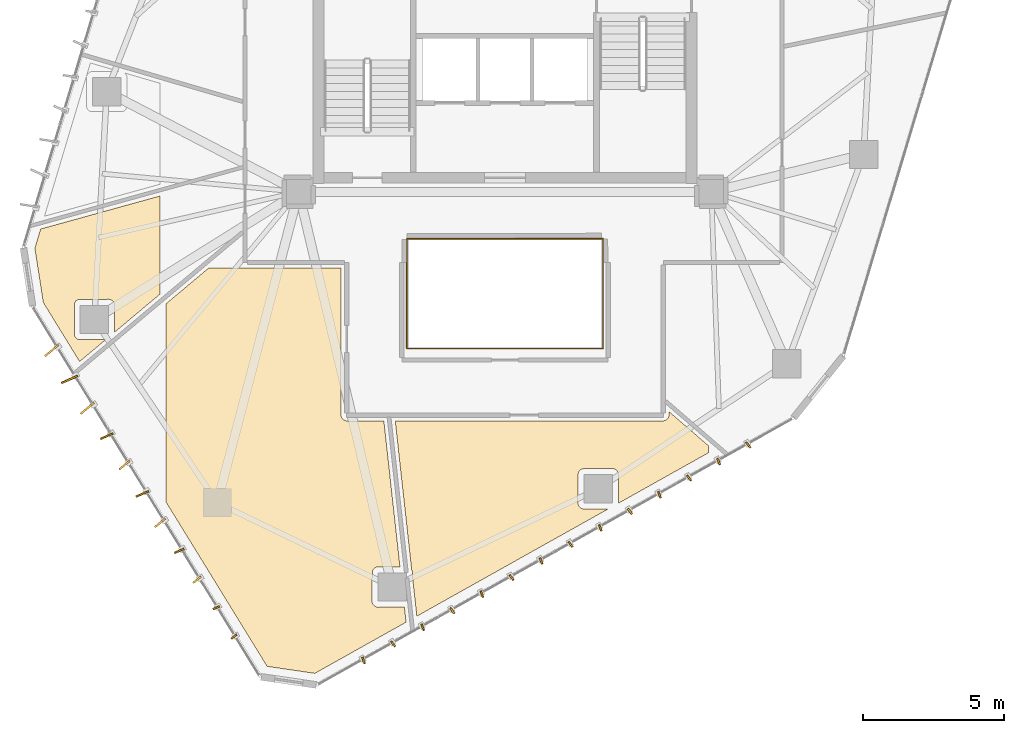
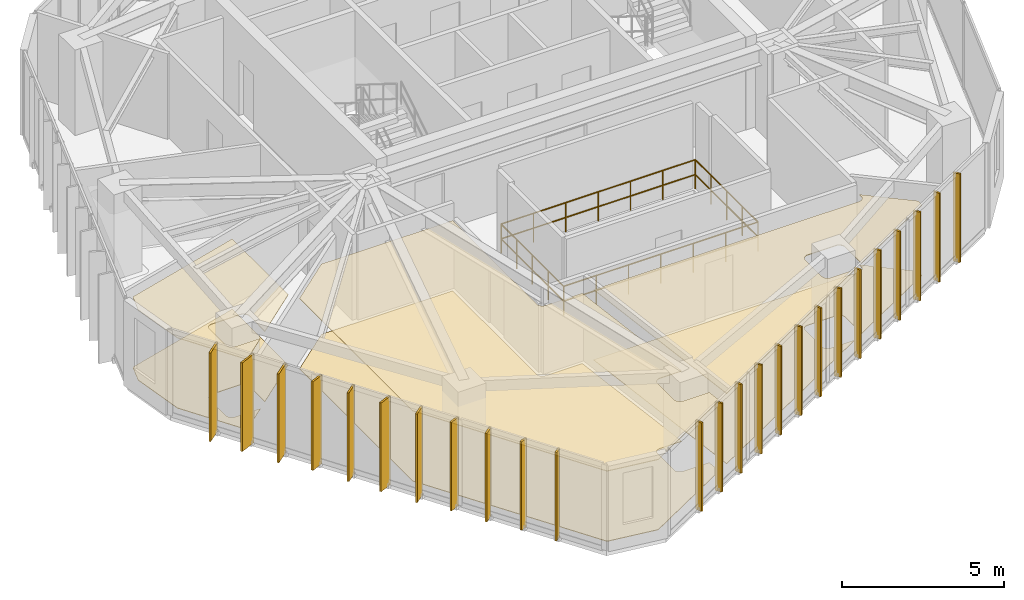
# One storey, part 18 of 19: 25 shading devices, 6 coverings, 4 railings.
"""IFC4 building model written with IfcOpenShell, lengths in metres."""

import ifcopenshell
import ifcopenshell.guid

model = None  # the IFC model being written
_history = None  # IfcOwnerHistory: only IFC2X3 demands one
_inside = {}  # id of a spatial element -> (the spatial element, [elements in it])
_under = {}  # id of a project, library or spatial element -> (it, [spatial elements below it])
_declared = {}  # id of a project -> (the project, [libraries it declares])
_typed = {}  # id of a type object -> (the type object, [elements of that type])
_made_of = {}  # id of a material, layer set ... -> (it, [elements and type objects made of it])


def new_model(schema):
    """Start an empty IFC model of exactly this schema.

    Asked for "IFC4X3", IfcOpenShell would pick the latest addendum, in which some entities
    have other attributes; the version numbers below select the first issue.
    IFC2X3 requires an IfcOwnerHistory on every rooted entity: one is made here for all.
    """
    global model, _history
    if schema == "IFC4X3":
        model = ifcopenshell.file(schema_version=(4, 3, 0, 0))
    else:
        model = ifcopenshell.file(schema=schema)
    _inside.clear()
    _under.clear()
    _declared.clear()
    _typed.clear()
    _made_of.clear()
    _history = None
    if model.schema == "IFC2X3":
        org = make("IfcOrganization", Name="unknown")
        user = make(
            "IfcPersonAndOrganization",
            ThePerson=make("IfcPerson", FamilyName="unknown"),
            TheOrganization=org,
        )
        app = make(
            "IfcApplication",
            ApplicationDeveloper=org,
            Version="unknown",
            ApplicationFullName="unknown",
            ApplicationIdentifier="unknown",
        )
        _history = make(
            "IfcOwnerHistory",
            OwningUser=user,
            OwningApplication=app,
            ChangeAction="ADDED",
            CreationDate=0,
        )
    return model


def make(cls, **values):
    """One entity of the class cls with the attributes given. An attribute that is None is left unset."""
    return model.create_entity(
        cls, **{name: value for name, value in values.items() if value is not None}
    )


def rooted(cls, **values):
    """An entity with a GlobalId (a new one), such as an element, a storey or a relation."""
    return make(cls, GlobalId=ifcopenshell.guid.new(), OwnerHistory=_history, **values)


def si_unit(unit_type, name, prefix=None):
    """IfcSIUnit, for example si_unit("LENGTHUNIT", "METRE", prefix="MILLI")."""
    return make("IfcSIUnit", UnitType=unit_type, Prefix=prefix, Name=name)


def assignment(units):
    """IfcUnitAssignment: the units of a project."""
    return None if units is None else make("IfcUnitAssignment", Units=units)


def point(xyz):
    """IfcCartesianPoint."""
    return None if xyz is None else make("IfcCartesianPoint", Coordinates=xyz)


def direction(xyz):
    """IfcDirection."""
    return None if xyz is None else make("IfcDirection", DirectionRatios=xyz)


def frame(location, z_axis=None, x_axis=None):
    """IfcAxis2Placement3D, a coordinate frame: its origin and axes. An axis left out is left unset."""
    return make(
        "IfcAxis2Placement3D",
        Location=point(location),
        Axis=direction(z_axis),
        RefDirection=direction(x_axis),
    )


def frame_2d(location, x_axis=None):
    """IfcAxis2Placement2D, a coordinate frame in the plane: its origin and x axis."""
    return make(
        "IfcAxis2Placement2D", Location=point(location), RefDirection=direction(x_axis)
    )


def origin():
    """The frame at (0, 0, 0) with its axes left unset."""
    return frame((0.0, 0.0, 0.0))


def origin_2d():
    """The frame at (0, 0) in the plane with its x axis left unset."""
    return frame_2d((0.0, 0.0))


def place(relative_to, where):
    """IfcLocalPlacement: puts the frame where relative to a parent placement (None: the world)."""
    return make(
        "IfcLocalPlacement", PlacementRelTo=relative_to, RelativePlacement=where
    )


def context(
    kind, dimensions, precision=None, world=None, true_north=None, identifier=None
):
    """IfcGeometricRepresentationContext, for example the 3D "Model" context."""
    return make(
        "IfcGeometricRepresentationContext",
        ContextIdentifier=identifier,
        ContextType=kind,
        CoordinateSpaceDimension=dimensions,
        Precision=precision,
        WorldCoordinateSystem=world,
        TrueNorth=true_north,
    )


def subcontext(parent, identifier, kind, view, scale=None):
    """IfcGeometricRepresentationSubContext, for example "Body" below "Model"."""
    return make(
        "IfcGeometricRepresentationSubContext",
        ContextIdentifier=identifier,
        ContextType=kind,
        ParentContext=parent,
        TargetScale=scale,
        TargetView=view,
    )


def project(units=None, contexts=None):
    """IfcProject with its units and contexts."""
    return rooted(
        "IfcProject",
        Name="project",
        RepresentationContexts=contexts,
        UnitsInContext=assignment(units),
    )


def spatial(cls, under=None, at=None, **own):
    """A site, building, storey or space (cls), placed at a placement, below another one or the project."""
    s = rooted(cls, ObjectPlacement=at, **own)
    if under is not None:
        _under.setdefault(under.id(), (under, []))[1].append(s)
    return s


def polyline(points):
    """IfcPolyline through the points."""
    return make("IfcPolyline", Points=[point(p) for p in points])


def profile(cls, at=None, kind="AREA", **sizes):
    """A parametric profile (cls). Its sizes go by their IFC names, for example OverallWidth=200.0."""
    return make(cls, ProfileType=kind, Position=at, **sizes)


def rectangle(**sizes):
    """IfcRectangleProfileDef."""
    return profile("IfcRectangleProfileDef", **sizes)


def circle(**sizes):
    """IfcCircleProfileDef."""
    return profile("IfcCircleProfileDef", **sizes)


def outline(outer, holes=None, kind="AREA"):
    """IfcArbitraryClosedProfileDef: a profile drawn as a closed curve; with holes, ...WithVoids."""
    if holes is None:
        return make("IfcArbitraryClosedProfileDef", ProfileType=kind, OuterCurve=outer)
    return make(
        "IfcArbitraryProfileDefWithVoids",
        ProfileType=kind,
        OuterCurve=outer,
        InnerCurves=holes,
    )


def extrude(swept, where, along, depth):
    """IfcExtrudedAreaSolid: the profile swept, set in the frame where, extruded along a direction by depth."""
    return make(
        "IfcExtrudedAreaSolid",
        SweptArea=swept,
        Position=where,
        ExtrudedDirection=direction(along),
        Depth=depth,
    )


def shape(context_of_items, identifier, shape_type, items):
    """IfcShapeRepresentation: the items that make up one representation, for example the "Body"."""
    return make(
        "IfcShapeRepresentation",
        ContextOfItems=context_of_items,
        RepresentationIdentifier=identifier,
        RepresentationType=shape_type,
        Items=items,
    )


def source(mapping_origin, context_of_items, identifier, shape_type, items):
    """IfcRepresentationMap: a shape defined once, which mapped items show again and again."""
    return make(
        "IfcRepresentationMap",
        MappingOrigin=mapping_origin,
        MappedRepresentation=shape(context_of_items, identifier, shape_type, items),
    )


def transform(
    local_origin,
    x_axis=None,
    y_axis=None,
    z_axis=None,
    scale=None,
    scale2=None,
    scale3=None,
    uniform=True,
):
    """IfcCartesianTransformationOperator3D, or its non-uniform kind. x_axis, y_axis, z_axis: its Axis1, 2, 3."""
    if uniform:
        return make(
            "IfcCartesianTransformationOperator3D",
            Axis1=direction(x_axis),
            Axis2=direction(y_axis),
            LocalOrigin=point(local_origin),
            Scale=scale,
            Axis3=direction(z_axis),
        )
    return make(
        "IfcCartesianTransformationOperator3DnonUniform",
        Axis1=direction(x_axis),
        Axis2=direction(y_axis),
        LocalOrigin=point(local_origin),
        Scale=scale,
        Axis3=direction(z_axis),
        Scale2=scale2,
        Scale3=scale3,
    )


def mapped(mapping_source, mapping_target):
    """IfcMappedItem: shows the shape of a source again, moved by a transform."""
    return make(
        "IfcMappedItem", MappingSource=mapping_source, MappingTarget=mapping_target
    )


def material(Name=None, Category=None):
    """IfcMaterial."""
    return make("IfcMaterial", Name=Name, Category=Category)


def layer(
    of_material, thickness, ventilated=None, Name=None, Category=None, Priority=None
):
    """IfcMaterialLayer: one layer of a wall or slab, of a material (None: an air gap)."""
    return make(
        "IfcMaterialLayer",
        Material=of_material,
        LayerThickness=thickness,
        IsVentilated=ventilated,
        Name=Name,
        Category=Category,
        Priority=Priority,
    )


def layer_set(layers, Name=None):
    """IfcMaterialLayerSet."""
    return make("IfcMaterialLayerSet", MaterialLayers=layers, LayerSetName=Name)


def made_of(thing, what):
    """Note that an element or type object is made of a material, layer set ...; save() writes the relation."""
    if what is not None:
        _made_of.setdefault(what.id(), (what, []))[1].append(thing)
    return thing


def type_object(cls, material=None, **own):
    """A type object (cls), such as IfcWallType, which elements share."""
    return made_of(rooted(cls, **own), material)


def type_shapes(of_type, sources):
    """Give a type object the sources (RepresentationMaps) that its elements show as mapped items."""
    of_type.RepresentationMaps = sources


def element(
    cls,
    number,
    at=None,
    inside=None,
    cuts=None,
    type_object=None,
    material=None,
    context=None,
    identifier="Body",
    shape_type=None,
    held_by="IfcProductDefinitionShape",
    body=None,
    shapes=None,
    **own,
):
    """One element of the class cls, such as IfcWall. Its Tag is "e" and its number.

    at: its placement. inside: the storey or other place that contains it. cuts: it is an
    opening in that element (IfcRelVoidsElement). A single representation is given by context,
    identifier, shape_type and body (its items); several are given by shapes. held_by: the class
    of the entity that holds the representations. save() writes the other relations.
    """
    e = rooted(cls, Tag="e%d" % number, ObjectPlacement=at, **own)
    if body is not None:
        shapes = [shape(context, identifier, shape_type, body)]
    if shapes is not None:
        e.Representation = make(held_by, Representations=shapes)
    if inside is not None:
        _inside.setdefault(inside.id(), (inside, []))[1].append(e)
    if cuts is not None:
        rooted(
            "IfcRelVoidsElement", RelatingBuildingElement=cuts, RelatedOpeningElement=e
        )
    if type_object is not None:
        _typed.setdefault(type_object.id(), (type_object, []))[1].append(e)
    return made_of(e, material)


def aggregate(whole, parts):
    """IfcRelAggregates: a whole, such as a stair, and the parts it consists of."""
    return rooted("IfcRelAggregates", RelatingObject=whole, RelatedObjects=parts)


def save(model, path):
    """Write the relations noted so far, then the file.

    IfcRelAggregates (storeys below a building ...), IfcRelContainedInSpatialStructure (elements
    in a storey), IfcRelDefinesByType, IfcRelAssociatesMaterial and IfcRelDeclares: one each for
    every whole, place, type object, material and project.
    """
    for whole, parts in _under.values():
        aggregate(whole, parts)
    for where, things in _inside.values():
        rooted(
            "IfcRelContainedInSpatialStructure",
            RelatedElements=things,
            RelatingStructure=where,
        )
    for kind, things in _typed.values():
        rooted("IfcRelDefinesByType", RelatedObjects=things, RelatingType=kind)
    for what, things in _made_of.values():
        rooted("IfcRelAssociatesMaterial", RelatedObjects=things, RelatingMaterial=what)
    for by, libraries in _declared.values():
        rooted("IfcRelDeclares", RelatingContext=by, RelatedDefinitions=libraries)
    model.write(path)


model = new_model("IFC4")

# Units and contexts
model_context = context("Model", 3, precision=1e-05, world=origin(), true_north=direction((0.0, 1.0)))
body_context = subcontext(model_context, "Body", "Model", "MODEL_VIEW")
ifc_project = project(units=[si_unit("LENGTHUNIT", "METRE"), si_unit("AREAUNIT", "SQUARE_METRE"), si_unit("VOLUMEUNIT", "CUBIC_METRE"), si_unit("PLANEANGLEUNIT", "RADIAN"), si_unit("MASSUNIT", "GRAM", prefix="KILO")], contexts=[model_context])

# Site, building, storey
site_placement = place(None, origin())
site = spatial("IfcSite", under=ifc_project, at=site_placement, CompositionType="ELEMENT")
building_placement = place(site_placement, origin())
building = spatial("IfcBuilding", under=site, at=building_placement, Name="Talar Marvaseh", CompositionType="ELEMENT")
storey_placement = place(building_placement, frame((0.0, 0.0, 177.5)))
storey = spatial("IfcBuildingStorey", under=building, at=storey_placement, Name="L46", CompositionType="ELEMENT", Elevation=177.5)

# Railings
ifc_material_1 = material(Name="Tempered Clear Glass", Category="glass")
railing_type = type_object("IfcRailingType", Name="Interior Atrium Edge Balustrade 1120", PredefinedType="BALUSTRADE", material=ifc_material_1)
railing_1_placement = place(storey_placement, frame((22.5302734375, 19.9609375, 0.0)))
element("IfcRailing", 1, at=railing_1_placement, inside=storey, type_object=railing_type, Name="L46 Internal Daylight Atrium Balustrade 1", PredefinedType="BALUSTRADE", context=body_context, shape_type="SweptSolid", body=[
    extrude(circle(Radius=0.02392578125, at=origin_2d()), frame((0.0, 0.0, 1.09619140625), z_axis=(1.0, 0.0, 0.0), x_axis=(0.0, 1.0, 0.0)), (0.0, 0.0, 1.0), 6.939453125),
    extrude(circle(Radius=0.02392578125, at=origin_2d()), frame((0.0, 0.0, 0.5361328125), z_axis=(1.0, 0.0, 0.0), x_axis=(0.0, 1.0, 0.0)), (0.0, 0.0, 1.0), 6.939453125),
    extrude(circle(Radius=0.02099609375, at=origin_2d()), origin(), (0.0, 0.0, 1.0), 1.072021484375),
    extrude(circle(Radius=0.02099609375, at=origin_2d()), frame((1.156494140625, 0.0, 0.0)), (0.0, 0.0, 1.0), 1.072021484375),
    extrude(circle(Radius=0.02099609375, at=origin_2d()), frame((2.313232421875, 0.0, 0.0)), (0.0, 0.0, 1.0), 1.072021484375),
    extrude(circle(Radius=0.02099609375, at=origin_2d()), frame((3.4697265625, 0.0, 0.0)), (0.0, 0.0, 1.0), 1.072021484375),
    extrude(circle(Radius=0.02099609375, at=origin_2d()), frame((4.626220703125, 0.0, 0.0)), (0.0, 0.0, 1.0), 1.072021484375),
    extrude(circle(Radius=0.02099609375, at=origin_2d()), frame((5.782958984375, 0.0, 0.0)), (0.0, 0.0, 1.0), 1.072021484375),
    extrude(circle(Radius=0.02099609375, at=origin_2d()), frame((6.939453125, 0.0, 0.0)), (0.0, 0.0, 1.0), 1.072021484375),
])
railing_2_placement = place(storey_placement, frame((29.4697265625, 19.9609375, 0.0)))
element("IfcRailing", 2, at=railing_2_placement, inside=storey, type_object=railing_type, Name="L46 Internal Daylight Atrium Balustrade 2", PredefinedType="BALUSTRADE", context=body_context, shape_type="SweptSolid", body=[
    extrude(circle(Radius=0.02392578125, at=origin_2d()), frame((0.0, 0.0, 1.09619140625), z_axis=(0.0, 1.0, 0.0), x_axis=(-1.0, 0.0, 0.0)), (0.0, 0.0, 1.0), 3.878173828125),
    extrude(circle(Radius=0.02392578125, at=origin_2d()), frame((0.0, 0.0, 0.5361328125), z_axis=(0.0, 1.0, 0.0), x_axis=(-1.0, 0.0, 0.0)), (0.0, 0.0, 1.0), 3.878173828125),
    extrude(circle(Radius=0.02099609375, at=origin_2d()), origin(), (0.0, 0.0, 1.0), 1.072021484375),
    extrude(circle(Radius=0.02099609375, at=origin_2d()), frame((0.0, 0.969482421875, 0.0)), (0.0, 0.0, 1.0), 1.072021484375),
    extrude(circle(Radius=0.02099609375, at=origin_2d()), frame((0.0, 1.93896484375, 0.0)), (0.0, 0.0, 1.0), 1.072021484375),
    extrude(circle(Radius=0.02099609375, at=origin_2d()), frame((0.0, 2.90869140625, 0.0)), (0.0, 0.0, 1.0), 1.072021484375),
    extrude(circle(Radius=0.02099609375, at=origin_2d()), frame((0.0, 3.878173828125, 0.0)), (0.0, 0.0, 1.0), 1.072021484375),
])
railing_3_placement = place(storey_placement, frame((29.4697265625, 23.839111328125, 0.0)))
element("IfcRailing", 3, at=railing_3_placement, inside=storey, type_object=railing_type, Name="L46 Internal Daylight Atrium Balustrade 3", PredefinedType="BALUSTRADE", context=body_context, shape_type="SweptSolid", body=[
    extrude(circle(Radius=0.02392578125, at=origin_2d()), frame((0.0, 0.0, 1.09619140625), z_axis=(-1.0, 0.0, 0.0), x_axis=(0.0, -1.0, 0.0)), (0.0, 0.0, 1.0), 6.939453125),
    extrude(circle(Radius=0.02392578125, at=origin_2d()), frame((0.0, 0.0, 0.5361328125), z_axis=(-1.0, 0.0, 0.0), x_axis=(0.0, -1.0, 0.0)), (0.0, 0.0, 1.0), 6.939453125),
    extrude(circle(Radius=0.02099609375, at=origin_2d()), origin(), (0.0, 0.0, 1.0), 1.072021484375),
    extrude(circle(Radius=0.02099609375, at=origin_2d()), frame((-1.156494140625, 0.0, 0.0)), (0.0, 0.0, 1.0), 1.072021484375),
    extrude(circle(Radius=0.02099609375, at=origin_2d()), frame((-2.313232421875, 0.0, 0.0)), (0.0, 0.0, 1.0), 1.072021484375),
    extrude(circle(Radius=0.02099609375, at=origin_2d()), frame((-3.4697265625, 0.0, 0.0)), (0.0, 0.0, 1.0), 1.072021484375),
    extrude(circle(Radius=0.02099609375, at=origin_2d()), frame((-4.626220703125, 0.0, 0.0)), (0.0, 0.0, 1.0), 1.072021484375),
    extrude(circle(Radius=0.02099609375, at=origin_2d()), frame((-5.782958984375, 0.0, 0.0)), (0.0, 0.0, 1.0), 1.072021484375),
    extrude(circle(Radius=0.02099609375, at=origin_2d()), frame((-6.939453125, 0.0, 0.0)), (0.0, 0.0, 1.0), 1.072021484375),
])
railing_4_placement = place(storey_placement, frame((22.5302734375, 23.839111328125, 0.0)))
element("IfcRailing", 4, at=railing_4_placement, inside=storey, type_object=railing_type, Name="L46 Internal Daylight Atrium Balustrade 4", PredefinedType="BALUSTRADE", context=body_context, shape_type="SweptSolid", body=[
    extrude(circle(Radius=0.02392578125, at=origin_2d()), frame((0.0, 0.0, 1.09619140625), z_axis=(0.0, -1.0, 0.0), x_axis=(1.0, 0.0, 0.0)), (0.0, 0.0, 1.0), 3.878173828125),
    extrude(circle(Radius=0.02392578125, at=origin_2d()), frame((0.0, 0.0, 0.5361328125), z_axis=(0.0, -1.0, 0.0), x_axis=(1.0, 0.0, 0.0)), (0.0, 0.0, 1.0), 3.878173828125),
    extrude(circle(Radius=0.02099609375, at=origin_2d()), origin(), (0.0, 0.0, 1.0), 1.072021484375),
    extrude(circle(Radius=0.02099609375, at=origin_2d()), frame((0.0, -0.969482421875, 0.0)), (0.0, 0.0, 1.0), 1.072021484375),
    extrude(circle(Radius=0.02099609375, at=origin_2d()), frame((0.0, -1.93896484375, 0.0)), (0.0, 0.0, 1.0), 1.072021484375),
    extrude(circle(Radius=0.02099609375, at=origin_2d()), frame((0.0, -2.90869140625, 0.0)), (0.0, 0.0, 1.0), 1.072021484375),
    extrude(circle(Radius=0.02099609375, at=origin_2d()), frame((0.0, -3.878173828125, 0.0)), (0.0, 0.0, 1.0), 1.072021484375),
])

# Coverings
ifc_material_2 = material(Name="Mineral Fibre Acoustic Ceiling")
ifc_layer_1 = layer(ifc_material_2, 0.02490234375)
ifc_layer_set_1 = layer_set([ifc_layer_1], Name="Mineral Fibre Acoustic Ceiling")
covering_type_1 = type_object("IfcCoveringType", Name="Perforated Mineral Fibre Acoustic Suspended Ceiling", PredefinedType="CEILING", material=ifc_layer_set_1)
covering_1_placement = place(storey_placement, frame((0.0, 0.0, 2.64990234375)))
element("IfcCovering", 5, at=covering_1_placement, inside=storey, type_object=covering_type_1, Name="L46 Seminar Room Acoustic Ceiling", PredefinedType="CEILING", context=body_context, shape_type="SweptSolid", body=[
    extrude(outline(polyline([(13.800048828125, 25.35546875), (13.800048828125, 21.887451171875), (12.182861328125, 20.530517578125), (12.18701171875, 21.48681640625), (12.18603515625, 21.50537109375), (12.18359375, 21.523681640625), (12.179443359375, 21.5419921875), (12.173583984375, 21.5595703125), (12.166015625, 21.57666015625), (12.156982421875, 21.593017578125), (12.146240234375, 21.6083984375), (12.134521484375, 21.62255859375), (12.12109375, 21.6357421875), (12.106201171875, 21.649169921875), (12.092041015625, 21.660888671875), (12.07666015625, 21.67138671875), (12.060546875, 21.680419921875), (12.043701171875, 21.687744140625), (12.02587890625, 21.693603515625), (12.008056640625, 21.69775390625), (11.989501953125, 21.7001953125), (11.97119140625, 21.700927734375), (10.96044921875, 21.696533203125), (10.94091796875, 21.695556640625), (10.921630859375, 21.692626953125), (10.902587890625, 21.687744140625), (10.88427734375, 21.68115234375), (10.86669921875, 21.672607421875), (10.849853515625, 21.66259765625), (10.833984375, 21.65087890625), (10.819580078125, 21.6376953125), (10.806640625, 21.623291015625), (10.794921875, 21.607421875), (10.784912109375, 21.590576171875), (10.776611328125, 21.572998046875), (10.77001953125, 21.554443359375), (10.76513671875, 21.535400390625), (10.762451171875, 21.51611328125), (10.761474609375, 21.49658203125), (10.761474609375, 20.475341796875), (10.762451171875, 20.455810546875), (10.76513671875, 20.436279296875), (10.77001953125, 20.417236328125), (10.776611328125, 20.39892578125), (10.784912109375, 20.381103515625), (10.795166015625, 20.3642578125), (10.806884765625, 20.348388671875), (10.820068359375, 20.333984375), (10.83447265625, 20.32080078125), (10.850341796875, 20.30908203125), (10.8671875, 20.299072265625), (10.885009765625, 20.29052734375), (10.9033203125, 20.283935546875), (10.92236328125, 20.279296875), (10.94189453125, 20.2763671875), (10.96142578125, 20.275390625), (11.87890625, 20.275390625), (10.95068359375, 19.49658203125), (9.6669921875, 21.583251953125), (9.3671875, 23.5029296875), (9.571533203125, 24.185302734375), (13.800048828125, 25.35546875)])), origin(), (0.0, 0.0, 1.0), 0.025146484375),
])
covering_2_placement = place(storey_placement, frame((0.0, 0.0, 2.64990234375)))
element("IfcCovering", 6, at=covering_2_placement, inside=storey, type_object=covering_type_1, Name="L46 Rare Books Archive Room Acoustic Ceiling", PredefinedType="CEILING", context=body_context, shape_type="SweptSolid", body=[
    extrude(outline(polyline([(16.800048828125, 22.800048828125), (20.199951171875, 22.800048828125), (20.199951171875, 17.60009765625), (20.200927734375, 17.580322265625), (20.203857421875, 17.56103515625), (20.20849609375, 17.5419921875), (20.215087890625, 17.5234375), (20.2236328125, 17.505615234375), (20.233642578125, 17.489013671875), (20.245361328125, 17.47314453125), (20.258544921875, 17.45849609375), (20.273193359375, 17.4453125), (20.288818359375, 17.43359375), (20.3056640625, 17.423583984375), (20.323486328125, 17.415283203125), (20.341796875, 17.40869140625), (20.361083984375, 17.40380859375), (20.38037109375, 17.40087890625), (20.39990234375, 17.39990234375), (21.714111328125, 17.39990234375), (22.28466796875, 12.23291015625), (21.50341796875, 12.2294921875), (21.48388671875, 12.228515625), (21.464599609375, 12.2255859375), (21.44580078125, 12.220703125), (21.427490234375, 12.214111328125), (21.409912109375, 12.205810546875), (21.39306640625, 12.19580078125), (21.37744140625, 12.18408203125), (21.363037109375, 12.1708984375), (21.349853515625, 12.156494140625), (21.338134765625, 12.140869140625), (21.328125, 12.1240234375), (21.31982421875, 12.1064453125), (21.313232421875, 12.088134765625), (21.308349609375, 12.069091796875), (21.305419921875, 12.0498046875), (21.304443359375, 12.030517578125), (21.30029296875, 11.016845703125), (21.30126953125, 10.997314453125), (21.303955078125, 10.977783203125), (21.30859375, 10.958740234375), (21.315185546875, 10.940185546875), (21.32373046875, 10.92236328125), (21.333740234375, 10.905517578125), (21.345458984375, 10.889404296875), (21.358642578125, 10.875), (21.373291015625, 10.86181640625), (21.387939453125, 10.849609375), (21.40380859375, 10.837890625), (21.420654296875, 10.82763671875), (21.438720703125, 10.819091796875), (21.457275390625, 10.8125), (21.476318359375, 10.807861328125), (21.495849609375, 10.804931640625), (21.515625, 10.803955078125), (22.442138671875, 10.80712890625), (22.5009765625, 10.27490234375), (19.269775390625, 8.46484375), (17.58447265625, 8.71142578125), (14.0, 14.538818359375), (14.0, 21.533203125), (15.510009765625, 22.800048828125), (16.800048828125, 22.800048828125)])), origin(), (0.0, 0.0, 1.0), 0.025146484375),
])
covering_3_placement = place(storey_placement, frame((0.0, 0.0, 2.64990234375)))
element("IfcCovering", 7, at=covering_3_placement, inside=storey, type_object=covering_type_1, Name="L46 Colloquium Boardroom Acoustic Ceiling", PredefinedType="CEILING", context=body_context, shape_type="SweptSolid", body=[
    extrude(outline(polyline([(31.60009765625, 17.39990234375), (31.61962890625, 17.40087890625), (31.638916015625, 17.40380859375), (31.658203125, 17.40869140625), (31.676513671875, 17.415283203125), (31.6943359375, 17.423583984375), (31.711181640625, 17.43359375), (31.726806640625, 17.4453125), (31.741455078125, 17.45849609375), (31.754638671875, 17.47314453125), (31.766357421875, 17.489013671875), (31.7763671875, 17.505615234375), (31.784912109375, 17.5234375), (31.79150390625, 17.5419921875), (31.796142578125, 17.56103515625), (31.799072265625, 17.580322265625), (31.800048828125, 17.60009765625), (31.800048828125, 17.727294921875), (33.199951171875, 16.51708984375), (33.199951171875, 16.26904296875), (30.009521484375, 14.481689453125), (30.009521484375, 14.482666015625), (30.013916015625, 15.49462890625), (30.01318359375, 15.51318359375), (30.010498046875, 15.53173828125), (30.00634765625, 15.5498046875), (30.00048828125, 15.567626953125), (29.992919921875, 15.584716796875), (29.98388671875, 15.600830078125), (29.973388671875, 15.6162109375), (29.96142578125, 15.630615234375), (29.9482421875, 15.643798828125), (29.933349609375, 15.6572265625), (29.9189453125, 15.6689453125), (29.90380859375, 15.679443359375), (29.887451171875, 15.688232421875), (29.87060546875, 15.69580078125), (29.85302734375, 15.70166015625), (29.8349609375, 15.705810546875), (29.816650390625, 15.708251953125), (29.798095703125, 15.708984375), (28.78759765625, 15.70458984375), (28.76806640625, 15.70361328125), (28.74853515625, 15.70068359375), (28.729736328125, 15.69580078125), (28.711181640625, 15.689208984375), (28.693603515625, 15.6806640625), (28.6767578125, 15.670654296875), (28.6611328125, 15.658935546875), (28.646728515625, 15.645751953125), (28.633544921875, 15.631103515625), (28.621826171875, 15.615478515625), (28.61181640625, 15.5986328125), (28.603515625, 15.580810546875), (28.596923828125, 15.5625), (28.59228515625, 15.54345703125), (28.58935546875, 15.524169921875), (28.58837890625, 15.504638671875), (28.58837890625, 14.4833984375), (28.58935546875, 14.4638671875), (28.59228515625, 14.4443359375), (28.596923828125, 14.42529296875), (28.603515625, 14.406982421875), (28.612060546875, 14.38916015625), (28.6220703125, 14.372314453125), (28.6337890625, 14.3564453125), (28.64697265625, 14.342041015625), (28.66162109375, 14.328857421875), (28.67724609375, 14.317138671875), (28.694091796875, 14.306884765625), (28.7119140625, 14.298583984375), (28.730224609375, 14.2919921875), (28.74951171875, 14.287109375), (28.768798828125, 14.284423828125), (28.788330078125, 14.283447265625), (29.65576171875, 14.283447265625), (22.8798828125, 10.4873046875), (22.72998046875, 11.844482421875), (22.72998046875, 12.0205078125), (22.728759765625, 12.042236328125), (22.72509765625, 12.0634765625), (22.719482421875, 12.084228515625), (22.71142578125, 12.104248046875), (22.701416015625, 12.123291015625), (22.698486328125, 12.1279296875), (22.116455078125, 17.39990234375), (31.60009765625, 17.39990234375)])), origin(), (0.0, 0.0, 1.0), 0.025146484375),
])
ifc_material_3 = material(Name="Porcelain Stoneware Tile", Category="masonry")
ifc_layer_2 = layer(ifc_material_3, 0.02001953125)
ifc_layer_set_2 = layer_set([ifc_layer_2], Name="Porcelain Stoneware Tile")
covering_type_2 = type_object("IfcCoveringType", Name="Polished Porcelain Stoneware Gallery Flooring", PredefinedType="FLOORING", material=ifc_layer_set_2)
covering_4_placement = place(storey_placement, origin())
element("IfcCovering", 8, at=covering_4_placement, inside=storey, type_object=covering_type_2, Name="L46 Seminar Room Flooring", PredefinedType="FLOORING", context=body_context, shape_type="SweptSolid", body=[
    extrude(outline(polyline([(13.800048828125, 25.35546875), (13.800048828125, 21.887451171875), (12.182861328125, 20.530517578125), (12.18701171875, 21.48681640625), (12.18603515625, 21.50537109375), (12.18359375, 21.523681640625), (12.179443359375, 21.5419921875), (12.173583984375, 21.5595703125), (12.166015625, 21.57666015625), (12.156982421875, 21.593017578125), (12.146240234375, 21.6083984375), (12.134521484375, 21.62255859375), (12.12109375, 21.6357421875), (12.106201171875, 21.649169921875), (12.092041015625, 21.660888671875), (12.07666015625, 21.67138671875), (12.060546875, 21.680419921875), (12.043701171875, 21.687744140625), (12.02587890625, 21.693603515625), (12.008056640625, 21.69775390625), (11.989501953125, 21.7001953125), (11.97119140625, 21.700927734375), (10.96044921875, 21.696533203125), (10.94091796875, 21.695556640625), (10.921630859375, 21.692626953125), (10.902587890625, 21.687744140625), (10.88427734375, 21.68115234375), (10.86669921875, 21.672607421875), (10.849853515625, 21.66259765625), (10.833984375, 21.65087890625), (10.819580078125, 21.6376953125), (10.806640625, 21.623291015625), (10.794921875, 21.607421875), (10.784912109375, 21.590576171875), (10.776611328125, 21.572998046875), (10.77001953125, 21.554443359375), (10.76513671875, 21.535400390625), (10.762451171875, 21.51611328125), (10.761474609375, 21.49658203125), (10.761474609375, 20.475341796875), (10.762451171875, 20.455810546875), (10.76513671875, 20.436279296875), (10.77001953125, 20.417236328125), (10.776611328125, 20.39892578125), (10.784912109375, 20.381103515625), (10.795166015625, 20.3642578125), (10.806884765625, 20.348388671875), (10.820068359375, 20.333984375), (10.83447265625, 20.32080078125), (10.850341796875, 20.30908203125), (10.8671875, 20.299072265625), (10.885009765625, 20.29052734375), (10.9033203125, 20.283935546875), (10.92236328125, 20.279296875), (10.94189453125, 20.2763671875), (10.96142578125, 20.275390625), (11.87890625, 20.275390625), (10.95068359375, 19.49658203125), (9.6669921875, 21.583251953125), (9.3671875, 23.5029296875), (9.571533203125, 24.185302734375), (13.800048828125, 25.35546875)])), origin(), (0.0, 0.0, 1.0), 0.02001953125),
])
covering_5_placement = place(storey_placement, origin())
element("IfcCovering", 9, at=covering_5_placement, inside=storey, type_object=covering_type_2, Name="L46 Rare Books Archive Room Flooring", PredefinedType="FLOORING", context=body_context, shape_type="SweptSolid", body=[
    extrude(outline(polyline([(16.800048828125, 22.800048828125), (20.199951171875, 22.800048828125), (20.199951171875, 17.60009765625), (20.200927734375, 17.580322265625), (20.203857421875, 17.56103515625), (20.20849609375, 17.5419921875), (20.215087890625, 17.5234375), (20.2236328125, 17.505615234375), (20.233642578125, 17.489013671875), (20.245361328125, 17.47314453125), (20.258544921875, 17.45849609375), (20.273193359375, 17.4453125), (20.288818359375, 17.43359375), (20.3056640625, 17.423583984375), (20.323486328125, 17.415283203125), (20.341796875, 17.40869140625), (20.361083984375, 17.40380859375), (20.38037109375, 17.40087890625), (20.39990234375, 17.39990234375), (21.714111328125, 17.39990234375), (22.28466796875, 12.23291015625), (21.50341796875, 12.2294921875), (21.48388671875, 12.228515625), (21.464599609375, 12.2255859375), (21.44580078125, 12.220703125), (21.427490234375, 12.214111328125), (21.409912109375, 12.205810546875), (21.39306640625, 12.19580078125), (21.37744140625, 12.18408203125), (21.363037109375, 12.1708984375), (21.349853515625, 12.156494140625), (21.338134765625, 12.140869140625), (21.328125, 12.1240234375), (21.31982421875, 12.1064453125), (21.313232421875, 12.088134765625), (21.308349609375, 12.069091796875), (21.305419921875, 12.0498046875), (21.304443359375, 12.030517578125), (21.30029296875, 11.016845703125), (21.30126953125, 10.997314453125), (21.303955078125, 10.977783203125), (21.30859375, 10.958740234375), (21.315185546875, 10.940185546875), (21.32373046875, 10.92236328125), (21.333740234375, 10.905517578125), (21.345458984375, 10.889404296875), (21.358642578125, 10.875), (21.373291015625, 10.86181640625), (21.387939453125, 10.849609375), (21.40380859375, 10.837890625), (21.420654296875, 10.82763671875), (21.438720703125, 10.819091796875), (21.457275390625, 10.8125), (21.476318359375, 10.807861328125), (21.495849609375, 10.804931640625), (21.515625, 10.803955078125), (22.442138671875, 10.80712890625), (22.5009765625, 10.27490234375), (19.269775390625, 8.46484375), (17.58447265625, 8.71142578125), (14.0, 14.538818359375), (14.0, 21.533203125), (15.510009765625, 22.800048828125), (16.800048828125, 22.800048828125)])), origin(), (0.0, 0.0, 1.0), 0.02001953125),
])
covering_6_placement = place(storey_placement, origin())
element("IfcCovering", 10, at=covering_6_placement, inside=storey, type_object=covering_type_2, Name="L46 Colloquium Boardroom Flooring", PredefinedType="FLOORING", context=body_context, shape_type="SweptSolid", body=[
    extrude(outline(polyline([(31.60009765625, 17.39990234375), (31.61962890625, 17.40087890625), (31.638916015625, 17.40380859375), (31.658203125, 17.40869140625), (31.676513671875, 17.415283203125), (31.6943359375, 17.423583984375), (31.711181640625, 17.43359375), (31.726806640625, 17.4453125), (31.741455078125, 17.45849609375), (31.754638671875, 17.47314453125), (31.766357421875, 17.489013671875), (31.7763671875, 17.505615234375), (31.784912109375, 17.5234375), (31.79150390625, 17.5419921875), (31.796142578125, 17.56103515625), (31.799072265625, 17.580322265625), (31.800048828125, 17.60009765625), (31.800048828125, 17.727294921875), (33.199951171875, 16.51708984375), (33.199951171875, 16.26904296875), (30.009521484375, 14.481689453125), (30.009521484375, 14.482666015625), (30.013916015625, 15.49462890625), (30.01318359375, 15.51318359375), (30.010498046875, 15.53173828125), (30.00634765625, 15.5498046875), (30.00048828125, 15.567626953125), (29.992919921875, 15.584716796875), (29.98388671875, 15.600830078125), (29.973388671875, 15.6162109375), (29.96142578125, 15.630615234375), (29.9482421875, 15.643798828125), (29.933349609375, 15.6572265625), (29.9189453125, 15.6689453125), (29.90380859375, 15.679443359375), (29.887451171875, 15.688232421875), (29.87060546875, 15.69580078125), (29.85302734375, 15.70166015625), (29.8349609375, 15.705810546875), (29.816650390625, 15.708251953125), (29.798095703125, 15.708984375), (28.78759765625, 15.70458984375), (28.76806640625, 15.70361328125), (28.74853515625, 15.70068359375), (28.729736328125, 15.69580078125), (28.711181640625, 15.689208984375), (28.693603515625, 15.6806640625), (28.6767578125, 15.670654296875), (28.6611328125, 15.658935546875), (28.646728515625, 15.645751953125), (28.633544921875, 15.631103515625), (28.621826171875, 15.615478515625), (28.61181640625, 15.5986328125), (28.603515625, 15.580810546875), (28.596923828125, 15.5625), (28.59228515625, 15.54345703125), (28.58935546875, 15.524169921875), (28.58837890625, 15.504638671875), (28.58837890625, 14.4833984375), (28.58935546875, 14.4638671875), (28.59228515625, 14.4443359375), (28.596923828125, 14.42529296875), (28.603515625, 14.406982421875), (28.612060546875, 14.38916015625), (28.6220703125, 14.372314453125), (28.6337890625, 14.3564453125), (28.64697265625, 14.342041015625), (28.66162109375, 14.328857421875), (28.67724609375, 14.317138671875), (28.694091796875, 14.306884765625), (28.7119140625, 14.298583984375), (28.730224609375, 14.2919921875), (28.74951171875, 14.287109375), (28.768798828125, 14.284423828125), (28.788330078125, 14.283447265625), (29.65576171875, 14.283447265625), (22.8798828125, 10.4873046875), (22.72998046875, 11.844482421875), (22.72998046875, 12.0205078125), (22.728759765625, 12.042236328125), (22.72509765625, 12.0634765625), (22.719482421875, 12.084228515625), (22.71142578125, 12.104248046875), (22.701416015625, 12.123291015625), (22.698486328125, 12.1279296875), (22.116455078125, 17.39990234375), (31.60009765625, 17.39990234375)])), origin(), (0.0, 0.0, 1.0), 0.02001953125),
])

# Shading devices
ifc_material_4 = material(Name="Anodised Champagne Bronze Aluminium", Category="aluminium")
ifc_layer_3 = layer(ifc_material_4, 0.06494140625)
ifc_layer_set_3 = layer_set([ifc_layer_3], Name="Anodised Champagne Bronze Aluminium")
shading_device_type_1 = type_object("IfcShadingDeviceType", Name="Sawtooth Champagne Bronze Vertical Fin 240", PredefinedType="USERDEFINED", material=ifc_layer_set_3)
shared_shape_1 = source(origin(), body_context, "Body", "SweptSolid", [
    extrude(rectangle(XDim=0.239990234375, YDim=0.06494140625, at=origin_2d()), origin(), (0.0, 0.0, 1.0), 3.35009765625),
])
type_shapes(shading_device_type_1, [shared_shape_1])
for number, where, z_axis, x_axis, name in (
    (11, (16.4140625, 9.764892578125, -0.1201171875), (0.0, 0.0, 1.0), (-0.770513242776, -0.637423989749, 0.0), "L46 Sawtooth Vertical Solar Fin"),
    (12, (15.785400390625, 10.787109375, -0.1201171875), (0.0, 0.0, 1.0), (-0.916362729562, -0.400349032557, 0.0), "L46 Sawtooth Vertical Solar Fin"),
    (13, (34.60498046875, 16.5458984375, -0.1201171875), (0.0, 0.0, 1.0), (0.605432907381, -0.795896346681, 0.0), "L46 Sawtooth Vertical Solar Fin"),
    (14, (33.55810546875, 15.95947265625, -0.1201171875), (0.0, 0.0, 1.0), (0.362600698822, -0.931944597717, 0.0), "L46 Sawtooth Vertical Solar Fin"),
    (15, (32.510986328125, 15.373046875, -0.1201171875), (0.0, 0.0, 1.0), (0.605432907381, -0.795896346681, 0.0), "L46 Sawtooth Vertical Solar Fin"),
    (16, (31.464111328125, 14.78662109375, -0.1201171875), (0.0, 0.0, 1.0), (0.362600698822, -0.931944597717, 0.0), "L46 Sawtooth Vertical Solar Fin"),
    (17, (30.417236328125, 14.199951171875, -0.1201171875), (0.0, 0.0, 1.0), (0.605432907381, -0.795896346681, 0.0), "L46 Sawtooth Vertical Solar Fin"),
    (18, (29.370361328125, 13.613525390625, -0.1201171875), (0.0, 0.0, 1.0), (0.362600698822, -0.931944597717, 0.0), "L46 Sawtooth Vertical Solar Fin"),
    (19, (28.323486328125, 13.02685546875, -0.1201171875), (0.0, 0.0, 1.0), (0.605432907381, -0.795896346681, 0.0), "L46 Sawtooth Vertical Solar Fin"),
    (20, (27.276611328125, 12.4404296875, -0.1201171875), (0.0, 0.0, 1.0), (0.362600698822, -0.931944597717, 0.0), "L46 Sawtooth Vertical Solar Fin"),
    (21, (26.229736328125, 11.85400390625, -0.1201171875), (0.0, 0.0, 1.0), (0.605432907381, -0.795896346681, 0.0), "L46 Sawtooth Vertical Solar Fin"),
    (22, (25.182861328125, 11.267333984375, -0.1201171875), (0.0, 0.0, 1.0), (0.362600698822, -0.931944597717, 0.0), "L46 Sawtooth Vertical Solar Fin"),
    (23, (24.135986328125, 10.680908203125, -0.1201171875), (0.0, 0.0, 1.0), (0.605432907381, -0.795896346681, 0.0), "L46 Sawtooth Vertical Solar Fin"),
    (24, (23.0888671875, 10.094482421875, -0.1201171875), (0.0, 0.0, 1.0), (0.362600698822, -0.931944597717, 0.0), "L46 Sawtooth Vertical Solar Fin"),
    (25, (22.0419921875, 9.5078125, -0.1201171875), (0.0, 0.0, 1.0), (0.605432907381, -0.795896346681, 0.0), "L46 Sawtooth Vertical Solar Fin"),
    (26, (20.9951171875, 8.92138671875, -0.1201171875), (0.0, 0.0, 1.0), (0.362600698822, -0.931944597717, 0.0), "L46 Sawtooth Vertical Solar Fin"),
):
    element("IfcShadingDevice", number, at=place(storey_placement, frame(where, z_axis=z_axis, x_axis=x_axis)), inside=storey, type_object=shading_device_type_1, Name=name, ObjectType="FIN", PredefinedType="USERDEFINED", context=body_context, shape_type="MappedRepresentation", body=[
        mapped(shared_shape_1, transform((0.0, 0.0, 0.0), x_axis=(1.0, 0.0, 0.0), y_axis=(0.0, 1.0, 0.0), z_axis=(0.0, 0.0, 1.0), scale=1.0)),
    ])
ifc_layer_4 = layer(ifc_material_4, 0.06494140625)
ifc_layer_set_4 = layer_set([ifc_layer_4], Name="Anodised Champagne Bronze Aluminium")
shading_device_type_2 = type_object("IfcShadingDeviceType", Name="Sawtooth Champagne Bronze Vertical Fin 360", PredefinedType="USERDEFINED", material=ifc_layer_set_4)
shared_shape_2 = source(origin(), body_context, "Body", "SweptSolid", [
    extrude(rectangle(XDim=0.360107421875, YDim=0.06494140625, at=origin_2d()), origin(), (0.0, 0.0, 1.0), 3.35009765625),
])
type_shapes(shading_device_type_2, [shared_shape_2])
for number, where, z_axis, x_axis, name in (
    (27, (15.10546875, 11.77783203125, -0.1201171875), (0.0, 0.0, 1.0), (-0.770513242776, -0.637423989749, 0.0), "L46 Sawtooth Vertical Solar Fin"),
    (28, (14.476806640625, 12.7998046875, -0.1201171875), (0.0, 0.0, 1.0), (-0.916362729562, -0.400349032557, 0.0), "L46 Sawtooth Vertical Solar Fin"),
):
    element("IfcShadingDevice", number, at=place(storey_placement, frame(where, z_axis=z_axis, x_axis=x_axis)), inside=storey, type_object=shading_device_type_2, Name=name, ObjectType="FIN", PredefinedType="USERDEFINED", context=body_context, shape_type="MappedRepresentation", body=[
        mapped(shared_shape_2, transform((0.0, 0.0, 0.0), x_axis=(1.0, 0.0, 0.0), y_axis=(0.0, 1.0, 0.0), z_axis=(0.0, 0.0, 1.0), scale=1.0)),
    ])
ifc_layer_5 = layer(ifc_material_4, 0.06494140625)
ifc_layer_set_5 = layer_set([ifc_layer_5], Name="Anodised Champagne Bronze Aluminium")
shading_device_type_3 = type_object("IfcShadingDeviceType", Name="Sawtooth Champagne Bronze Vertical Fin 480", PredefinedType="USERDEFINED", material=ifc_layer_set_5)
shared_shape_3 = source(origin(), body_context, "Body", "SweptSolid", [
    extrude(rectangle(XDim=0.47998046875, YDim=0.06494140625, at=origin_2d()), origin(), (0.0, 0.0, 1.0), 3.35009765625),
])
type_shapes(shading_device_type_3, [shared_shape_3])
for number, where, z_axis, x_axis, name in (
    (29, (13.796875, 13.79052734375, -0.1201171875), (0.0, 0.0, 1.0), (-0.770513242776, -0.637423989749, 0.0), "L46 Sawtooth Vertical Solar Fin"),
    (30, (13.168212890625, 14.812744140625, -0.1201171875), (0.0, 0.0, 1.0), (-0.916362729562, -0.400349032557, 0.0), "L46 Sawtooth Vertical Solar Fin"),
    (31, (12.53955078125, 15.834716796875, -0.1201171875), (0.0, 0.0, 1.0), (-0.770513242776, -0.637423989749, 0.0), "L46 Sawtooth Vertical Solar Fin"),
    (32, (11.910888671875, 16.85693359375, -0.1201171875), (0.0, 0.0, 1.0), (-0.916362729562, -0.400349032557, 0.0), "L46 Sawtooth Vertical Solar Fin"),
):
    element("IfcShadingDevice", number, at=place(storey_placement, frame(where, z_axis=z_axis, x_axis=x_axis)), inside=storey, type_object=shading_device_type_3, Name=name, ObjectType="FIN", PredefinedType="USERDEFINED", context=body_context, shape_type="MappedRepresentation", body=[
        mapped(shared_shape_3, transform((0.0, 0.0, 0.0), x_axis=(1.0, 0.0, 0.0), y_axis=(0.0, 1.0, 0.0), z_axis=(0.0, 0.0, 1.0), scale=1.0)),
    ])
ifc_layer_6 = layer(ifc_material_4, 0.06494140625)
ifc_layer_set_6 = layer_set([ifc_layer_6], Name="Anodised Champagne Bronze Aluminium")
shading_device_type_4 = type_object("IfcShadingDeviceType", Name="Sawtooth Champagne Bronze Vertical Fin 620", PredefinedType="USERDEFINED", material=ifc_layer_set_6)
shared_shape_4 = source(origin(), body_context, "Body", "SweptSolid", [
    extrude(rectangle(XDim=0.6201171875, YDim=0.06494140625, at=origin_2d()), origin(), (0.0, 0.0, 1.0), 3.35009765625),
])
type_shapes(shading_device_type_4, [shared_shape_4])
for number, where, z_axis, x_axis, name in (
    (33, (11.222412109375, 17.84228515625, -0.1201171875), (0.0, 0.0, 1.0), (-0.770513242776, -0.637423989749, 0.0), "L46 Sawtooth Vertical Solar Fin"),
    (34, (10.59375, 18.864501953125, -0.1201171875), (0.0, 0.0, 1.0), (-0.916362729562, -0.400349032557, 0.0), "L46 Sawtooth Vertical Solar Fin"),
    (35, (9.965087890625, 19.88671875, -0.1201171875), (0.0, 0.0, 1.0), (-0.770513242776, -0.637423989749, 0.0), "L46 Sawtooth Vertical Solar Fin"),
):
    element("IfcShadingDevice", number, at=place(storey_placement, frame(where, z_axis=z_axis, x_axis=x_axis)), inside=storey, type_object=shading_device_type_4, Name=name, ObjectType="FIN", PredefinedType="USERDEFINED", context=body_context, shape_type="MappedRepresentation", body=[
        mapped(shared_shape_4, transform((0.0, 0.0, 0.0), x_axis=(1.0, 0.0, 0.0), y_axis=(0.0, 1.0, 0.0), z_axis=(0.0, 0.0, 1.0), scale=1.0)),
    ])

save(model, "model.ifc")
